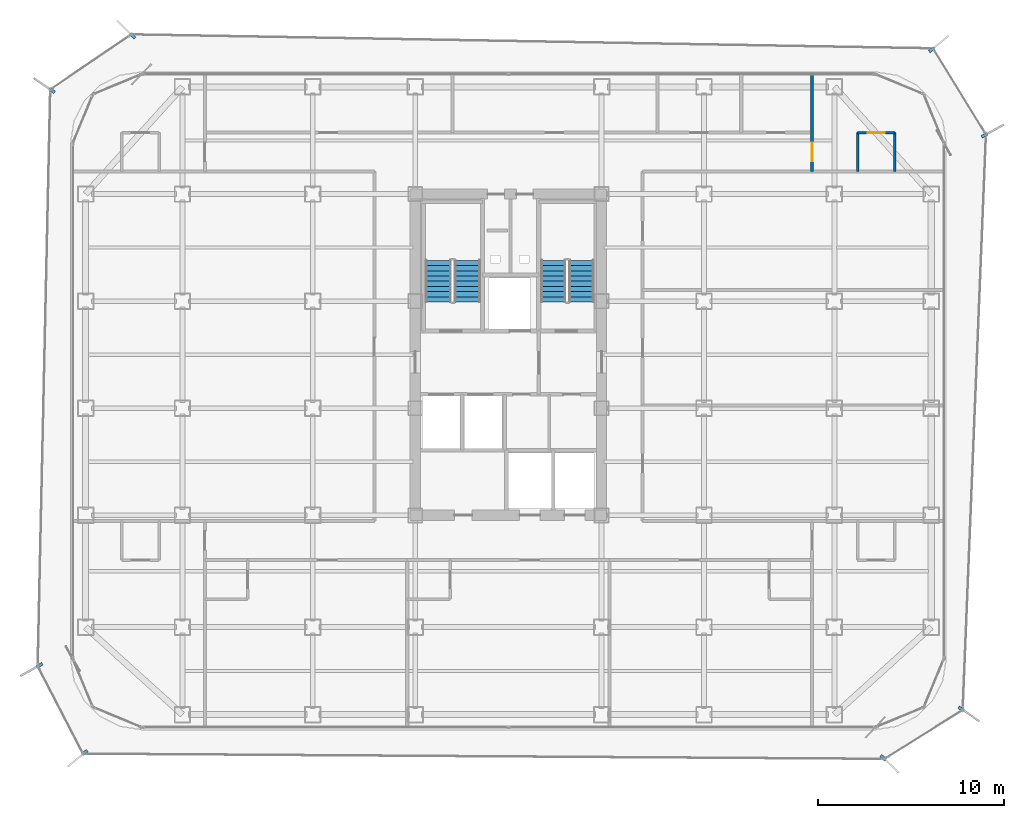
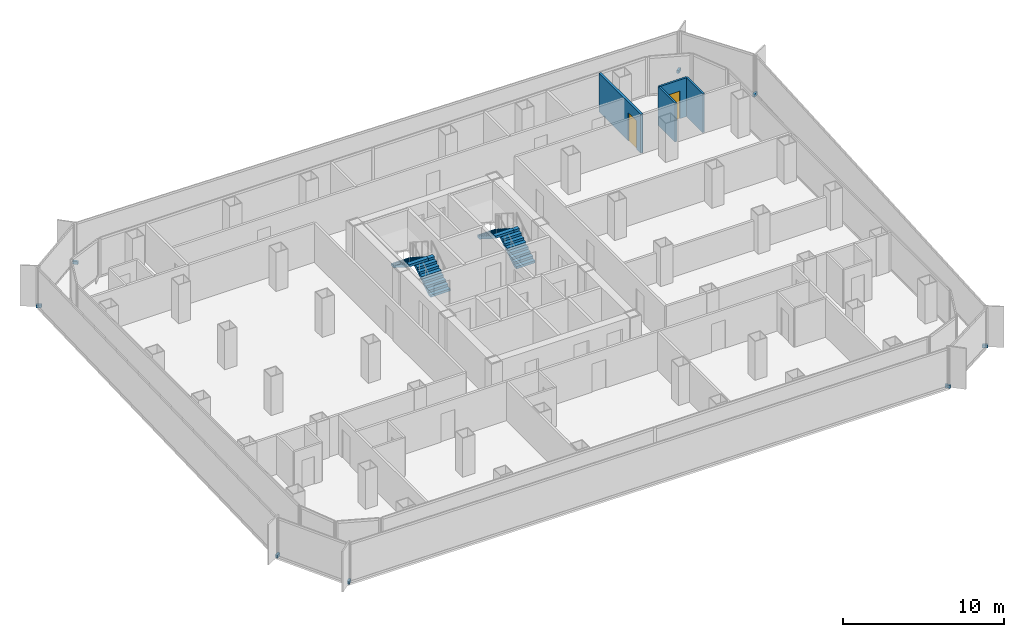
# One storey, part 18 of 21: 8 discrete accessories, 4 stair flights, 4 walls, 2 doors, 2 openings, 2 elements without a shape of their own.
"""IFC4 building model written with IfcOpenShell, lengths in metres."""

from ifc_helpers import new_model, si_unit, direction, frame, frame_2d, origin, origin_2d, place, context, subcontext, project, spatial, polyline, rectangle, outline, extrude, source, transform, mapped, material, layer, layer_set, type_object, element, fill, aggregate, save


model = new_model("IFC4")

# Units and contexts
model_context = context("Model", 3, precision=1e-05, world=origin(), true_north=direction((0.0, 1.0)))
body_context = subcontext(model_context, "Body", "Model", "MODEL_VIEW")
ifc_project = project(units=[si_unit("LENGTHUNIT", "METRE"), si_unit("AREAUNIT", "SQUARE_METRE"), si_unit("VOLUMEUNIT", "CUBIC_METRE"), si_unit("PLANEANGLEUNIT", "RADIAN"), si_unit("MASSUNIT", "GRAM", prefix="KILO")], contexts=[model_context])

# Site, building, storey
site_placement = place(None, origin())
site = spatial("IfcSite", under=ifc_project, at=site_placement, CompositionType="ELEMENT")
building_placement = place(site_placement, origin())
building = spatial("IfcBuilding", under=site, at=building_placement, Name="Kolveth Station Tower", CompositionType="ELEMENT")
storey_placement = place(building_placement, frame((0.0, 0.0, 121.5)))
storey = spatial("IfcBuildingStorey", under=building, at=storey_placement, Name="L33", CompositionType="ELEMENT", Elevation=121.5)

# Walls
ifc_material_1 = material(Name="Moisture-resistant gypsum partition")
ifc_layer_1 = layer(ifc_material_1, 0.135009765625)
ifc_layer_set_1 = layer_set([ifc_layer_1], Name="Moisture-resistant gypsum partition")
wall_type_1 = type_object("IfcWallType", Name="Wall_IW-135", PredefinedType="PARTITIONING", material=ifc_layer_set_1)
for number, where, z_axis, x_axis, name in (
    (1, (42.25, 29.949951171875, 0.0), (0.0, 0.0, 1.0), (0.0, 1.0, 0.0), "L33 Partition Wall WL-L33-ES2-BV1"),
    (2, (44.25, 29.949951171875, 0.0), (0.0, 0.0, 1.0), (0.0, 1.0, 0.0), "L33 Partition Wall WL-L33-ES2-BV2"),
):
    element("IfcWall", number, at=place(storey_placement, frame(where, z_axis=z_axis, x_axis=x_axis)), inside=storey, type_object=wall_type_1, Name=name, PredefinedType="PARTITIONING", context=body_context, shape_type="SweptSolid", body=[
        extrude(rectangle(XDim=2.10009765625, YDim=0.135009765625, at=frame_2d((1.050048828125, 0.0))), origin(), (0.0, 0.0, 1.0), 2.949951171875),
    ])

# Wall, opening, door
wall_1_placement = place(storey_placement, frame((42.25, 32.050048828125, 0.0), z_axis=(0.0, 0.0, 1.0), x_axis=(1.0, 0.0, 0.0)))
wall_1 = element("IfcWall", 3, at=wall_1_placement, inside=storey, type_object=wall_type_1, Name="L33 Partition Wall WL-L33-ES2-BH", PredefinedType="PARTITIONING", context=body_context, shape_type="SweptSolid", body=[
    extrude(rectangle(XDim=2.0, YDim=0.135009765625, at=frame_2d((1.0, 0.0))), origin(), (0.0, 0.0, 1.0), 2.949951171875),
])
opening_1_placement = place(wall_1_placement, frame((0.5400390625, 0.0, 0.0)))
opening_1 = element("IfcOpeningElement", 4, at=opening_1_placement, cuts=wall_1, Name="Opening ID2", PredefinedType="OPENING", context=body_context, shape_type="SweptSolid", body=[
    extrude(rectangle(XDim=0.919921875, YDim=2.10009765625, at=frame_2d((0.4599609375, 1.050048828125))), frame((0.0, 0.077392578125, 0.0), z_axis=(0.0, -1.0, 0.0), x_axis=(1.0, 0.0, 0.0)), (0.0, 0.0, 1.0), 0.155029296875),
])
ifc_material_2 = material(Name="Moisture-resistant hardwood leaf", Category="wood")
door_type_1 = type_object("IfcDoorType", Name="Door_ID2", OperationType="NOTDEFINED", PredefinedType="DOOR", material=ifc_material_2)
door_1_placement = place(opening_1_placement, frame((0.919921875, 0.0, 0.0), z_axis=(0.0, 0.0, 1.0), x_axis=(-1.0, 0.0, 0.0)))
door_1 = element("IfcDoor", 5, at=door_1_placement, inside=storey, type_object=door_type_1, Name="L33 Hotel Corner Suite ES2 En-Suite Door", OperationType="SINGLE_SWING_LEFT", OverallHeight=2.10009765625, OverallWidth=0.919921875, PredefinedType="DOOR", context=body_context, shape_type="SweptSolid", body=[
    extrude(rectangle(XDim=0.919921875, YDim=2.10009765625, at=frame_2d((0.4599609375, 1.050048828125))), frame((0.0, 0.02490234375, 0.0), z_axis=(0.0, -1.0, 0.0), x_axis=(1.0, 0.0, 0.0)), (0.0, 0.0, 1.0), 0.050048828125),
])
fill(opening_1, door_1)

ifc_material_3 = material(Name="Acoustic double-stud gypsum partition")
ifc_layer_2 = layer(ifc_material_3, 0.1650390625)
ifc_layer_set_2 = layer_set([ifc_layer_2], Name="Acoustic double-stud gypsum partition")
wall_type_2 = type_object("IfcWallType", Name="Wall_IW-165", PredefinedType="PARTITIONING", material=ifc_layer_set_2)
wall_2_placement = place(storey_placement, frame((39.800048828125, 29.949951171875, 0.0), z_axis=(0.0, 0.0, 1.0), x_axis=(0.0, 1.0, 0.0)))
wall_2 = element("IfcWall", 6, at=wall_2_placement, inside=storey, type_object=wall_type_2, Name="L33 Partition Wall WL-L33-END-EN", PredefinedType="PARTITIONING", context=body_context, shape_type="SweptSolid", body=[
    extrude(rectangle(XDim=5.18994140625, YDim=0.1650390625, at=frame_2d((2.594970703125, 0.0))), origin(), (0.0, 0.0, 1.0), 2.949951171875),
])
opening_2_placement = place(wall_2_placement, frame((0.550048828125, 0.0, 0.0)))
opening_2 = element("IfcOpeningElement", 7, at=opening_2_placement, cuts=wall_2, Name="Opening FD3", PredefinedType="OPENING", context=body_context, shape_type="SweptSolid", body=[
    extrude(rectangle(XDim=1.0, YDim=2.14990234375, at=frame_2d((0.5, 1.074951171875))), frame((0.0, 0.092529296875, 0.0), z_axis=(0.0, -1.0, 0.0), x_axis=(1.0, 0.0, 0.0)), (0.0, 0.0, 1.0), 0.18505859375),
])
ifc_material_4 = material(Name="Fire-rated hardwood leaf and aluminium frame", Category="wood")
door_type_2 = type_object("IfcDoorType", Name="Door_FD3", OperationType="NOTDEFINED", PredefinedType="DOOR", material=ifc_material_4)
door_2_placement = place(opening_2_placement, frame((1.0, 0.0, 0.0), z_axis=(0.0, 0.0, 1.0), x_axis=(-1.0, 0.0, 0.0)))
door_2 = element("IfcDoor", 8, at=door_2_placement, inside=storey, type_object=door_type_2, Name="L33 Hotel Corner Suite ES2 Entrance Door", OperationType="SINGLE_SWING_RIGHT", OverallHeight=2.14990234375, OverallWidth=1.0, PredefinedType="DOOR", context=body_context, shape_type="SweptSolid", body=[
    extrude(rectangle(XDim=1.0, YDim=2.14990234375, at=frame_2d((0.5, 1.074951171875))), frame((0.0, 0.02490234375, 0.0), z_axis=(0.0, -1.0, 0.0), x_axis=(1.0, 0.0, 0.0)), (0.0, 0.0, 1.0), 0.050048828125),
])
fill(opening_2, door_2)

# Stair, stair flights
ifc_material_5 = material(Name="Concrete C40/50", Category="concrete")
stair_type_1 = type_object("IfcStairType", Name="Stair_ST1", PredefinedType="HALF_TURN_STAIR", material=ifc_material_5)
stair_1_placement = place(storey_placement, origin())
stair_1 = element("IfcStair", 9, at=stair_1_placement, inside=storey, type_object=stair_type_1, Name="L33 Tower Exit Stair ST1", PredefinedType="HALF_TURN_STAIR")
ifc_layer_3 = layer(ifc_material_5, 0.179931640625)
ifc_layer_set_3 = layer_set([ifc_layer_3], Name="Concrete C40/50")
stair_flight_type_1 = type_object("IfcStairFlightType", Name="Flight_ST1", PredefinedType="STRAIGHT", material=ifc_layer_set_3)
stair_flight_1_placement = place(storey_placement, frame((21.300048828125, 22.949951171875, 0.0), z_axis=(0.0, 0.0, 1.0), x_axis=(0.0, 1.0, 0.0)))
stair_flight_1 = element("IfcStairFlight", 10, at=stair_flight_1_placement, type_object=stair_flight_type_1, Name="ST1 flight 1", NumberOfRisers=9, NumberOfTreads=8, PredefinedType="STRAIGHT", RiserHeight=0.177777778, TreadLength=0.28, context=body_context, shape_type="SweptSolid", body=[
    extrude(outline(polyline([(0.0, 0.0), (0.0, 0.177734375), (0.280029296875, 0.177734375), (0.280029296875, 0.35546875), (0.56005859375, 0.35546875), (0.56005859375, 0.533447265625), (0.840087890625, 0.533447265625), (0.840087890625, 0.711181640625), (1.1201171875, 0.711181640625), (1.1201171875, 0.888916015625), (1.39990234375, 0.888916015625), (1.39990234375, 1.066650390625), (1.679931640625, 1.066650390625), (1.679931640625, 1.244384765625), (1.9599609375, 1.244384765625), (1.9599609375, 1.422119140625), (2.239990234375, 1.422119140625), (2.239990234375, 1.60009765625), (2.239990234375, 1.24462890625), (0.27978515625, 0.0), (0.0, 0.0)])), frame((0.0, 0.699951171875, 0.0), z_axis=(0.0, -1.0, 0.0), x_axis=(1.0, 0.0, 0.0)), (0.0, 0.0, 1.0), 1.39990234375),
])
stair_flight_2_placement = place(storey_placement, frame((19.739990234375, 25.18994140625, 1.60009765625), z_axis=(0.0, 0.0, 1.0), x_axis=(0.0, -1.0, 0.0)))
stair_flight_2 = element("IfcStairFlight", 11, at=stair_flight_2_placement, type_object=stair_flight_type_1, Name="ST1 flight 2", NumberOfRisers=9, NumberOfTreads=8, PredefinedType="STRAIGHT", RiserHeight=0.177777778, TreadLength=0.28, context=body_context, shape_type="SweptSolid", body=[
    extrude(outline(polyline([(0.0, 0.0), (0.0, 0.177734375), (0.280029296875, 0.177734375), (0.280029296875, 0.35546875), (0.56005859375, 0.35546875), (0.56005859375, 0.533447265625), (0.840087890625, 0.533447265625), (0.840087890625, 0.711181640625), (1.1201171875, 0.711181640625), (1.1201171875, 0.888916015625), (1.39990234375, 0.888916015625), (1.39990234375, 1.066650390625), (1.679931640625, 1.066650390625), (1.679931640625, 1.244384765625), (1.9599609375, 1.244384765625), (1.9599609375, 1.422119140625), (2.239990234375, 1.422119140625), (2.239990234375, 1.60009765625), (2.239990234375, 1.24462890625), (0.27978515625, 0.0), (0.0, 0.0)])), frame((0.0, 0.699951171875, 0.0), z_axis=(0.0, -1.0, 0.0), x_axis=(1.0, 0.0, 0.0)), (0.0, 0.0, 1.0), 1.39990234375),
])
aggregate(stair_1, [stair_flight_1, stair_flight_2])

stair_type_2 = type_object("IfcStairType", Name="Stair_ST2", PredefinedType="HALF_TURN_STAIR", material=ifc_material_5)
stair_2_placement = place(storey_placement, origin())
stair_2 = element("IfcStair", 12, at=stair_2_placement, inside=storey, type_object=stair_type_2, Name="L33 Tower Exit Stair ST2", PredefinedType="HALF_TURN_STAIR")
ifc_layer_4 = layer(ifc_material_5, 0.179931640625)
ifc_layer_set_4 = layer_set([ifc_layer_4], Name="Concrete C40/50")
stair_flight_type_2 = type_object("IfcStairFlightType", Name="Flight_ST2", PredefinedType="STRAIGHT", material=ifc_layer_set_4)
stair_flight_3_placement = place(storey_placement, frame((27.425048828125, 22.949951171875, 0.0), z_axis=(0.0, 0.0, 1.0), x_axis=(0.0, 1.0, 0.0)))
stair_flight_3 = element("IfcStairFlight", 13, at=stair_flight_3_placement, type_object=stair_flight_type_2, Name="ST2 flight 1", NumberOfRisers=9, NumberOfTreads=8, PredefinedType="STRAIGHT", RiserHeight=0.177777778, TreadLength=0.28, context=body_context, shape_type="SweptSolid", body=[
    extrude(outline(polyline([(0.0, 0.0), (0.0, 0.177734375), (0.280029296875, 0.177734375), (0.280029296875, 0.35546875), (0.56005859375, 0.35546875), (0.56005859375, 0.533447265625), (0.840087890625, 0.533447265625), (0.840087890625, 0.711181640625), (1.1201171875, 0.711181640625), (1.1201171875, 0.888916015625), (1.39990234375, 0.888916015625), (1.39990234375, 1.066650390625), (1.679931640625, 1.066650390625), (1.679931640625, 1.244384765625), (1.9599609375, 1.244384765625), (1.9599609375, 1.422119140625), (2.239990234375, 1.422119140625), (2.239990234375, 1.60009765625), (2.239990234375, 1.24462890625), (0.27978515625, 0.0), (0.0, 0.0)])), frame((0.0, 0.675048828125, 0.0), z_axis=(0.0, -1.0, 0.0), x_axis=(1.0, 0.0, 0.0)), (0.0, 0.0, 1.0), 1.35009765625),
])
stair_flight_4_placement = place(storey_placement, frame((25.9150390625, 25.18994140625, 1.60009765625), z_axis=(0.0, 0.0, 1.0), x_axis=(0.0, -1.0, 0.0)))
stair_flight_4 = element("IfcStairFlight", 14, at=stair_flight_4_placement, type_object=stair_flight_type_2, Name="ST2 flight 2", NumberOfRisers=9, NumberOfTreads=8, PredefinedType="STRAIGHT", RiserHeight=0.177777778, TreadLength=0.28, context=body_context, shape_type="SweptSolid", body=[
    extrude(outline(polyline([(0.0, 0.0), (0.0, 0.177734375), (0.280029296875, 0.177734375), (0.280029296875, 0.35546875), (0.56005859375, 0.35546875), (0.56005859375, 0.533447265625), (0.840087890625, 0.533447265625), (0.840087890625, 0.711181640625), (1.1201171875, 0.711181640625), (1.1201171875, 0.888916015625), (1.39990234375, 0.888916015625), (1.39990234375, 1.066650390625), (1.679931640625, 1.066650390625), (1.679931640625, 1.244384765625), (1.9599609375, 1.244384765625), (1.9599609375, 1.422119140625), (2.239990234375, 1.422119140625), (2.239990234375, 1.60009765625), (2.239990234375, 1.24462890625), (0.27978515625, 0.0), (0.0, 0.0)])), frame((0.0, 0.675048828125, 0.0), z_axis=(0.0, -1.0, 0.0), x_axis=(1.0, 0.0, 0.0)), (0.0, 0.0, 1.0), 1.35009765625),
])
aggregate(stair_2, [stair_flight_3, stair_flight_4])

# Discrete accessories
ifc_material_6 = material(Name="Steel S355", Category="steel")
discrete_accessory_type = type_object("IfcDiscreteAccessoryType", Name="Bracket_BK1", PredefinedType="BRACKET", material=ifc_material_6)
shared_shape = source(origin(), body_context, "Body", "SweptSolid", [
    extrude(rectangle(XDim=0.35009765625, YDim=0.159912109375, at=origin_2d()), origin(), (0.0, 0.0, 1.0), 0.219970703125),
])
for number, where, z_axis, x_axis, name in (
    (15, (43.62109375, -1.512939453125, -0.06005859375), (0.0, 0.0, 1.0), (0.724171861437, -0.689619543736, 0.0), "L33 Double-Skin Radial Tie Bracket 1"),
    (16, (47.81298828125, 1.10693359375, -0.06005859375), (0.0, 0.0, 1.0), (0.826786154745, -0.562516359159, 0.0), "L33 Double-Skin Radial Tie Bracket 2"),
    (17, (49.05810546875, 31.90087890625, -0.06005859375), (0.0, 0.0, 1.0), (0.873432483984, 0.486945269945, 0.0), "L33 Double-Skin Radial Tie Bracket 3"),
    (18, (46.22802734375, 36.5009765625, -0.06005859375), (0.0, 0.0, 1.0), (0.769733907611, 0.638364873308, 0.0), "L33 Double-Skin Radial Tie Bracket 4"),
    (19, (3.324951171875, 37.242919921875, -0.06005859375), (0.0, 0.0, 1.0), (-0.717397145963, 0.696664434978, 0.0), "L33 Double-Skin Radial Tie Bracket 5"),
    (20, (-1.008056640625, 34.304931640625, -0.06005859375), (0.0, 0.0, 1.0), (-0.827080574275, 0.562083377852, 0.0), "L33 Double-Skin Radial Tie Bracket 6"),
    (21, (-1.677001953125, 3.447021484375, -0.06005859375), (0.0, 0.0, 1.0), (-0.870956655104, -0.491359852787, 0.0), "L33 Double-Skin Radial Tie Bracket 7"),
    (22, (0.75, -1.239990234375, -0.06005859375), (0.0, 0.0, 1.0), (-0.769399555047, -0.638767817516, 0.0), "L33 Double-Skin Radial Tie Bracket 8"),
):
    element("IfcDiscreteAccessory", number, at=place(storey_placement, frame(where, z_axis=z_axis, x_axis=x_axis)), inside=storey, type_object=discrete_accessory_type, Name=name, PredefinedType="BRACKET", context=body_context, shape_type="MappedRepresentation", body=[
        mapped(shared_shape, transform((0.0, 0.0, 0.0), x_axis=(1.0, 0.0, 0.0), y_axis=(0.0, 1.0, 0.0), z_axis=(0.0, 0.0, 1.0), scale=1.0)),
    ])

save(model, "model.ifc")
